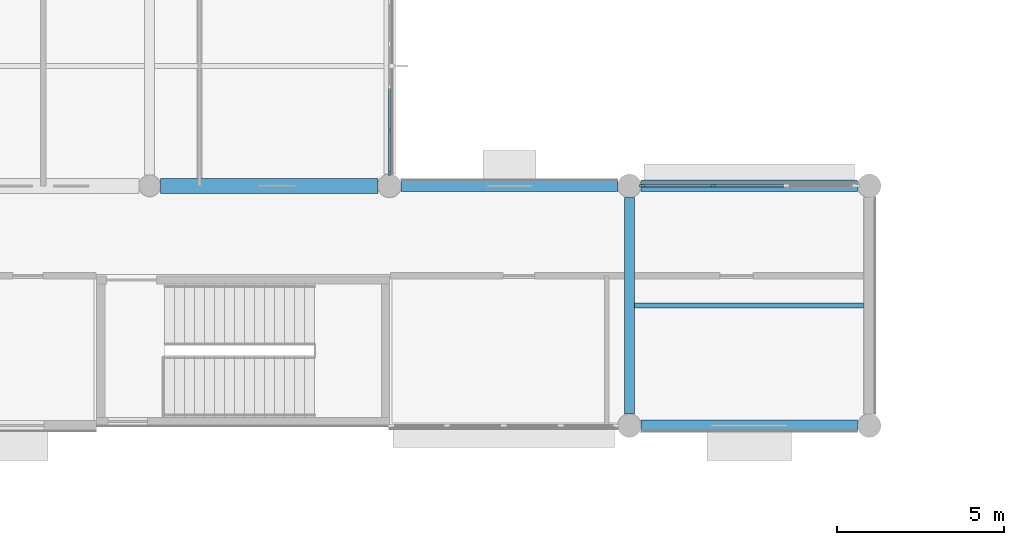
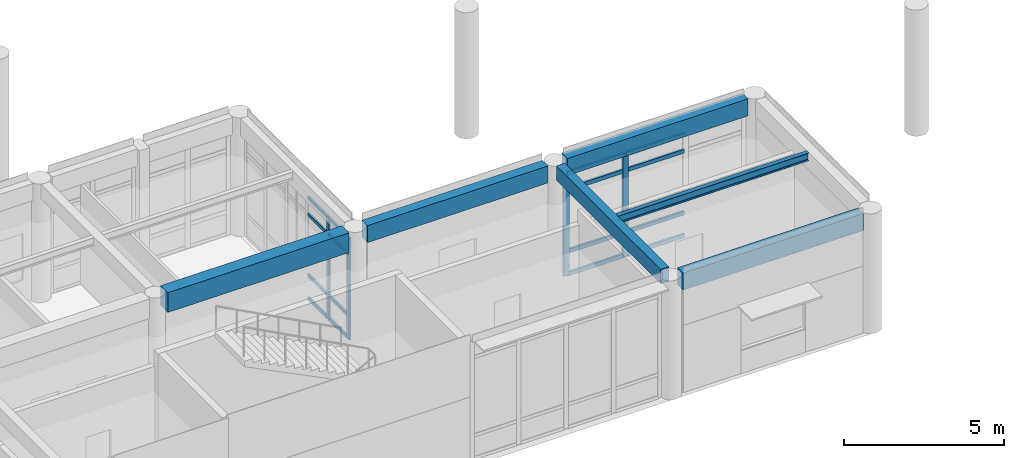
# One storey, part 25 of 92: 20 members, 6 beams, 2 elements without a shape of their own.
"""IFC4 building model written with IfcOpenShell, lengths in metres."""

from ifc_helpers import new_model, si_unit, direction, frame, origin, origin_2d, place, context, subcontext, project, spatial, rectangle, i_section, extrude, material, layer, layer_set, material_profile, profile_set, type_object, element, aggregate, save


model = new_model("IFC4")

# Units and contexts
model_context = context("Model", 3, precision=1e-05, world=origin(), true_north=direction((0.0, 1.0)))
body_context = subcontext(model_context, "Body", "Model", "MODEL_VIEW")
ifc_project = project(units=[si_unit("LENGTHUNIT", "METRE"), si_unit("AREAUNIT", "SQUARE_METRE"), si_unit("VOLUMEUNIT", "CUBIC_METRE"), si_unit("PLANEANGLEUNIT", "RADIAN"), si_unit("MASSUNIT", "GRAM", prefix="KILO")], contexts=[model_context])

# Site, building, storey
site_placement = place(None, origin())
site = spatial("IfcSite", under=ifc_project, at=site_placement, CompositionType="ELEMENT")
building_placement = place(site_placement, origin())
building = spatial("IfcBuilding", under=site, at=building_placement, Name="Namkhue Oval Health Centre", CompositionType="ELEMENT")
storey_placement = place(building_placement, frame((0.0, 0.0, 4.800048828125)))
storey = spatial("IfcBuildingStorey", under=building, at=storey_placement, Name="L01", CompositionType="ELEMENT", Elevation=4.800048828125)

# Curtain wall, members
ifc_material_1 = material(Name="Anodised aluminium EN AW-6063 T6", Category="aluminium")
ifc_layer_1 = layer(ifc_material_1, 0.159912109375)
ifc_layer_set_1 = layer_set([ifc_layer_1], Name="Anodised aluminium EN AW-6063 T6")
curtain_wall_type_1 = type_object("IfcCurtainWallType", Name="UNITISED CURTAIN WALL M1200", PredefinedType="NOTDEFINED", material=ifc_layer_set_1)
curtain_wall_1_placement = place(storey_placement, origin())
curtain_wall_1 = element("IfcCurtainWall", 1, at=curtain_wall_1_placement, inside=storey, type_object=curtain_wall_type_1, Name="Volume V3 L01 Unitised Curtain Wall 103", PredefinedType="NOTDEFINED")
ifc_material_profile_1 = material_profile(ifc_material_1, rectangle(XDim=0.06494140625, YDim=0.159912109375, at=origin_2d()), Name="ALU 65x160")
ifc_profile_set_1 = profile_set([ifc_material_profile_1], Name="Anodised aluminium EN AW-6063 T6")
member_type_1 = type_object("IfcMemberType", Name="CURTAIN WALL MULLION 65X160", PredefinedType="MULLION", material=ifc_profile_set_1)
member_1_placement = place(storey_placement, frame((122.39990234375, 97.592529296875, 0.0), z_axis=(0.0, 0.0, 1.0), x_axis=(-1.0, 0.0, 0.0)))
member_1 = element("IfcMember", 2, at=member_1_placement, type_object=member_type_1, Name="CW-01 mullion 1", PredefinedType="MULLION", context=body_context, shape_type="SweptSolid", body=[
    extrude(rectangle(XDim=0.06494140625, YDim=0.159912109375, at=origin_2d()), origin(), (0.0, 0.0, 1.0), 3.8798828125),
])
member_2_placement = place(storey_placement, frame((122.39990234375, 98.85595703125, 0.0), z_axis=(0.0, 0.0, 1.0), x_axis=(-1.0, 0.0, 0.0)))
member_2 = element("IfcMember", 3, at=member_2_placement, type_object=member_type_1, Name="CW-01 mullion 2", PredefinedType="MULLION", context=body_context, shape_type="SweptSolid", body=[
    extrude(rectangle(XDim=0.06494140625, YDim=0.159912109375, at=origin_2d()), origin(), (0.0, 0.0, 1.0), 3.8798828125),
])

ifc_layer_2 = layer(ifc_material_1, 0.159912109375)
ifc_layer_set_2 = layer_set([ifc_layer_2], Name="Anodised aluminium EN AW-6063 T6")
curtain_wall_type_2 = type_object("IfcCurtainWallType", Name="UNITISED CURTAIN WALL M2000", PredefinedType="NOTDEFINED", material=ifc_layer_set_2)
curtain_wall_2_placement = place(storey_placement, origin())
curtain_wall_2 = element("IfcCurtainWall", 4, at=curtain_wall_2_placement, inside=storey, type_object=curtain_wall_type_2, Name="Volume V3 L01 Unitised Curtain Wall 102", PredefinedType="NOTDEFINED")
ifc_material_profile_2 = material_profile(ifc_material_1, rectangle(XDim=0.074951171875, YDim=0.199951171875, at=origin_2d()), Name="ALU 75x200")
ifc_profile_set_2 = profile_set([ifc_material_profile_2], Name="Anodised aluminium EN AW-6063 T6")
member_type_2 = type_object("IfcMemberType", Name="CURTAIN WALL MULLION 75X200", PredefinedType="MULLION", material=ifc_profile_set_2)
member_3_placement = place(storey_placement, frame((132.1201171875, 97.199951171875, 0.0), z_axis=(0.0, 0.0, 1.0), x_axis=(0.0, -1.0, 0.0)))
member_3 = element("IfcMember", 5, at=member_3_placement, type_object=member_type_2, Name="CW-06 mullion 3", PredefinedType="MULLION", context=body_context, shape_type="SweptSolid", body=[
    extrude(rectangle(XDim=0.074951171875, YDim=0.199951171875, at=origin_2d()), origin(), (0.0, 0.0, 1.0), 3.911865234375),
])
member_4_placement = place(storey_placement, frame((129.99755859375, 97.199951171875, 0.0), z_axis=(0.0, 0.0, 1.0), x_axis=(0.0, -1.0, 0.0)))
member_4 = element("IfcMember", 6, at=member_4_placement, type_object=member_type_2, Name="CW-06 mullion 4", PredefinedType="MULLION", context=body_context, shape_type="SweptSolid", body=[
    extrude(rectangle(XDim=0.074951171875, YDim=0.199951171875, at=origin_2d()), origin(), (0.0, 0.0, 1.0), 3.911865234375),
])

# Member
ifc_material_profile_3 = material_profile(ifc_material_1, rectangle(XDim=0.06494140625, YDim=0.1201171875, at=origin_2d()), Name="ALU 65x120")
ifc_profile_set_3 = profile_set([ifc_material_profile_3], Name="Anodised aluminium EN AW-6063 T6")
member_type_3 = type_object("IfcMemberType", Name="CURTAIN WALL TRANSOM 65X120", PredefinedType="USERDEFINED", material=ifc_profile_set_3)
member_5_placement = place(storey_placement, frame((122.39990234375, 97.625, 0.032470703125), z_axis=(0.0, 1.0, 0.0), x_axis=(-1.0, 0.0, 0.0)))
member_5 = element("IfcMember", 7, at=member_5_placement, type_object=member_type_3, Name="CW-01 transom 1.1", ObjectType="TRANSOM", PredefinedType="USERDEFINED", context=body_context, shape_type="SweptSolid", body=[
    extrude(rectangle(XDim=0.06494140625, YDim=0.1201171875, at=origin_2d()), origin(), (0.0, 0.0, 1.0), 1.198486328125),
])

member_6_placement = place(storey_placement, frame((122.39990234375, 97.625, 0.89990234375), z_axis=(0.0, 1.0, 0.0), x_axis=(-1.0, 0.0, 0.0)))
member_6 = element("IfcMember", 8, at=member_6_placement, type_object=member_type_3, Name="CW-01 transom 1.2", ObjectType="TRANSOM", PredefinedType="USERDEFINED", context=body_context, shape_type="SweptSolid", body=[
    extrude(rectangle(XDim=0.06494140625, YDim=0.1201171875, at=origin_2d()), origin(), (0.0, 0.0, 1.0), 1.198486328125),
])

member_7_placement = place(storey_placement, frame((122.39990234375, 97.625, 3.22998046875), z_axis=(0.0, 1.0, 0.0), x_axis=(-1.0, 0.0, 0.0)))
member_7 = element("IfcMember", 9, at=member_7_placement, type_object=member_type_3, Name="CW-01 transom 1.3", ObjectType="TRANSOM", PredefinedType="USERDEFINED", context=body_context, shape_type="SweptSolid", body=[
    extrude(rectangle(XDim=0.06494140625, YDim=0.1201171875, at=origin_2d()), origin(), (0.0, 0.0, 1.0), 1.198486328125),
])

member_8_placement = place(storey_placement, frame((122.39990234375, 97.625, 3.847412109375), z_axis=(0.0, 1.0, 0.0), x_axis=(-1.0, 0.0, 0.0)))
member_8 = element("IfcMember", 10, at=member_8_placement, type_object=member_type_3, Name="CW-01 transom 1.4", ObjectType="TRANSOM", PredefinedType="USERDEFINED", context=body_context, shape_type="SweptSolid", body=[
    extrude(rectangle(XDim=0.06494140625, YDim=0.1201171875, at=origin_2d()), origin(), (0.0, 0.0, 1.0), 1.198486328125),
])

member_9_placement = place(storey_placement, frame((122.39990234375, 98.888427734375, 0.032470703125), z_axis=(0.0, 1.0, 0.0), x_axis=(-1.0, 0.0, 0.0)))
member_9 = element("IfcMember", 11, at=member_9_placement, type_object=member_type_3, Name="CW-01 transom 2.1", ObjectType="TRANSOM", PredefinedType="USERDEFINED", context=body_context, shape_type="SweptSolid", body=[
    extrude(rectangle(XDim=0.06494140625, YDim=0.1201171875, at=origin_2d()), origin(), (0.0, 0.0, 1.0), 1.23095703125),
])

member_10_placement = place(storey_placement, frame((122.39990234375, 98.888427734375, 0.89990234375), z_axis=(0.0, 1.0, 0.0), x_axis=(-1.0, 0.0, 0.0)))
member_10 = element("IfcMember", 12, at=member_10_placement, type_object=member_type_3, Name="CW-01 transom 2.2", ObjectType="TRANSOM", PredefinedType="USERDEFINED", context=body_context, shape_type="SweptSolid", body=[
    extrude(rectangle(XDim=0.06494140625, YDim=0.1201171875, at=origin_2d()), origin(), (0.0, 0.0, 1.0), 1.23095703125),
])

member_11_placement = place(storey_placement, frame((122.39990234375, 98.888427734375, 3.22998046875), z_axis=(0.0, 1.0, 0.0), x_axis=(-1.0, 0.0, 0.0)))
member_11 = element("IfcMember", 13, at=member_11_placement, type_object=member_type_3, Name="CW-01 transom 2.3", ObjectType="TRANSOM", PredefinedType="USERDEFINED", context=body_context, shape_type="SweptSolid", body=[
    extrude(rectangle(XDim=0.06494140625, YDim=0.1201171875, at=origin_2d()), origin(), (0.0, 0.0, 1.0), 1.23095703125),
])

member_12_placement = place(storey_placement, frame((122.39990234375, 98.888427734375, 3.847412109375), z_axis=(0.0, 1.0, 0.0), x_axis=(-1.0, 0.0, 0.0)))
member_12 = element("IfcMember", 14, at=member_12_placement, type_object=member_type_3, Name="CW-01 transom 2.4", ObjectType="TRANSOM", PredefinedType="USERDEFINED", context=body_context, shape_type="SweptSolid", body=[
    extrude(rectangle(XDim=0.06494140625, YDim=0.1201171875, at=origin_2d()), origin(), (0.0, 0.0, 1.0), 1.23095703125),
])

aggregate(curtain_wall_1, [member_1, member_2, member_5, member_6, member_7, member_8, member_9, member_10, member_11, member_12])

ifc_material_profile_4 = material_profile(ifc_material_1, rectangle(XDim=0.074951171875, YDim=0.14990234375, at=origin_2d()), Name="ALU 75x150")
ifc_profile_set_4 = profile_set([ifc_material_profile_4], Name="Anodised aluminium EN AW-6063 T6")
member_type_4 = type_object("IfcMemberType", Name="CURTAIN WALL TRANSOM 75X150", PredefinedType="USERDEFINED", material=ifc_profile_set_4)
member_13_placement = place(storey_placement, frame((134.242431640625, 97.199951171875, 0.037353515625), z_axis=(-1.0, 0.0, 0.0), x_axis=(0.0, -1.0, 0.0)))
member_13 = element("IfcMember", 15, at=member_13_placement, type_object=member_type_4, Name="CW-06 transom 2.1", ObjectType="TRANSOM", PredefinedType="USERDEFINED", context=body_context, shape_type="SweptSolid", body=[
    extrude(rectangle(XDim=0.074951171875, YDim=0.14990234375, at=origin_2d()), origin(), (0.0, 0.0, 1.0), 2.0849609375),
])

member_14_placement = place(storey_placement, frame((134.242431640625, 97.199951171875, 0.89990234375), z_axis=(-1.0, 0.0, 0.0), x_axis=(0.0, -1.0, 0.0)))
member_14 = element("IfcMember", 16, at=member_14_placement, type_object=member_type_4, Name="CW-06 transom 2.2", ObjectType="TRANSOM", PredefinedType="USERDEFINED", context=body_context, shape_type="SweptSolid", body=[
    extrude(rectangle(XDim=0.074951171875, YDim=0.14990234375, at=origin_2d()), origin(), (0.0, 0.0, 1.0), 2.0849609375),
])

member_15_placement = place(storey_placement, frame((134.242431640625, 97.199951171875, 3.261962890625), z_axis=(-1.0, 0.0, 0.0), x_axis=(0.0, -1.0, 0.0)))
member_15 = element("IfcMember", 17, at=member_15_placement, type_object=member_type_4, Name="CW-06 transom 2.3", ObjectType="TRANSOM", PredefinedType="USERDEFINED", context=body_context, shape_type="SweptSolid", body=[
    extrude(rectangle(XDim=0.074951171875, YDim=0.14990234375, at=origin_2d()), origin(), (0.0, 0.0, 1.0), 2.0849609375),
])

member_16_placement = place(storey_placement, frame((134.242431640625, 97.199951171875, 3.87451171875), z_axis=(-1.0, 0.0, 0.0), x_axis=(0.0, -1.0, 0.0)))
member_16 = element("IfcMember", 18, at=member_16_placement, type_object=member_type_4, Name="CW-06 transom 2.4", ObjectType="TRANSOM", PredefinedType="USERDEFINED", context=body_context, shape_type="SweptSolid", body=[
    extrude(rectangle(XDim=0.074951171875, YDim=0.14990234375, at=origin_2d()), origin(), (0.0, 0.0, 1.0), 2.0849609375),
])

member_17_placement = place(storey_placement, frame((132.08251953125, 97.199951171875, 0.037353515625), z_axis=(-1.0, 0.0, 0.0), x_axis=(0.0, -1.0, 0.0)))
member_17 = element("IfcMember", 19, at=member_17_placement, type_object=member_type_4, Name="CW-06 transom 3.1", ObjectType="TRANSOM", PredefinedType="USERDEFINED", context=body_context, shape_type="SweptSolid", body=[
    extrude(rectangle(XDim=0.074951171875, YDim=0.14990234375, at=origin_2d()), origin(), (0.0, 0.0, 1.0), 2.047607421875),
])

member_18_placement = place(storey_placement, frame((132.08251953125, 97.199951171875, 0.89990234375), z_axis=(-1.0, 0.0, 0.0), x_axis=(0.0, -1.0, 0.0)))
member_18 = element("IfcMember", 20, at=member_18_placement, type_object=member_type_4, Name="CW-06 transom 3.2", ObjectType="TRANSOM", PredefinedType="USERDEFINED", context=body_context, shape_type="SweptSolid", body=[
    extrude(rectangle(XDim=0.074951171875, YDim=0.14990234375, at=origin_2d()), origin(), (0.0, 0.0, 1.0), 2.047607421875),
])

member_19_placement = place(storey_placement, frame((132.08251953125, 97.199951171875, 3.261962890625), z_axis=(-1.0, 0.0, 0.0), x_axis=(0.0, -1.0, 0.0)))
member_19 = element("IfcMember", 21, at=member_19_placement, type_object=member_type_4, Name="CW-06 transom 3.3", ObjectType="TRANSOM", PredefinedType="USERDEFINED", context=body_context, shape_type="SweptSolid", body=[
    extrude(rectangle(XDim=0.074951171875, YDim=0.14990234375, at=origin_2d()), origin(), (0.0, 0.0, 1.0), 2.047607421875),
])

member_20_placement = place(storey_placement, frame((132.08251953125, 97.199951171875, 3.87451171875), z_axis=(-1.0, 0.0, 0.0), x_axis=(0.0, -1.0, 0.0)))
member_20 = element("IfcMember", 22, at=member_20_placement, type_object=member_type_4, Name="CW-06 transom 3.4", ObjectType="TRANSOM", PredefinedType="USERDEFINED", context=body_context, shape_type="SweptSolid", body=[
    extrude(rectangle(XDim=0.074951171875, YDim=0.14990234375, at=origin_2d()), origin(), (0.0, 0.0, 1.0), 2.047607421875),
])

aggregate(curtain_wall_2, [member_3, member_4, member_13, member_14, member_15, member_16, member_17, member_18, member_19, member_20])

# Beams
ifc_material_2 = material(Name="Reinforced concrete C30/37 (TCVN B35)", Category="concrete")
ifc_material_profile_5 = material_profile(ifc_material_2, rectangle(XDim=0.300048828125, YDim=0.550048828125, at=origin_2d()), Name="RC 300x550")
ifc_profile_set_5 = profile_set([ifc_material_profile_5], Name="Reinforced concrete C30/37 (TCVN B35)")
beam_type_1 = type_object("IfcBeamType", Name="FLOOR BEAM RC 300X550", PredefinedType="BEAM", material=ifc_profile_set_5)
beam_1_placement = place(storey_placement, frame((129.60009765625, 90.35009765625, 4.286865234375), z_axis=(0.0, 1.0, 0.0), x_axis=(-1.0, 0.0, 0.0)))
element("IfcBeam", 23, at=beam_1_placement, inside=storey, type_object=beam_type_1, Name="Volume V3 L02 Beam 19/N-O", PredefinedType="BEAM", context=body_context, shape_type="SweptSolid", body=[
    extrude(rectangle(XDim=0.300048828125, YDim=0.550048828125, at=origin_2d()), origin(), (0.0, 0.0, 1.0), 6.5),
])
ifc_material_3 = material(Name="Reinforced concrete C35/45 (TCVN B40)", Category="concrete")
ifc_material_profile_6 = material_profile(ifc_material_3, rectangle(XDim=0.35009765625, YDim=0.64990234375, at=origin_2d()), Name="RC 350x650")
ifc_profile_set_6 = profile_set([ifc_material_profile_6], Name="Reinforced concrete C35/45 (TCVN B40)")
beam_type_2 = type_object("IfcBeamType", Name="PERIMETER SPANDREL BEAM 350X650", PredefinedType="SPANDREL", material=ifc_profile_set_6)
for number, where, z_axis, x_axis, name in (
    (24, (129.949951171875, 90.0, 4.237060546875), (1.0, 0.0, 0.0), (0.0, 1.0, 0.0), "Volume V3 L02 Girder N/19-20"),
    (25, (122.75, 97.199951171875, 4.204833984375), (1.0, 0.0, 0.0), (0.0, 1.0, 0.0), "Volume V3 L02 Girder O/18-19"),
    (26, (129.949951171875, 97.199951171875, 4.237060546875), (1.0, 0.0, 0.0), (0.0, 1.0, 0.0), "Volume V3 L02 Girder O/19-20"),
):
    element("IfcBeam", number, at=place(storey_placement, frame(where, z_axis=z_axis, x_axis=x_axis)), inside=storey, type_object=beam_type_2, Name=name, PredefinedType="SPANDREL", context=body_context, shape_type="SweptSolid", body=[
        extrude(rectangle(XDim=0.35009765625, YDim=0.64990234375, at=origin_2d()), origin(), (0.0, 0.0, 1.0), 6.5),
    ])
ifc_material_profile_7 = material_profile(ifc_material_3, rectangle(XDim=0.449951171875, YDim=0.75, at=origin_2d()), Name="RC 450x750")
ifc_profile_set_7 = profile_set([ifc_material_profile_7], Name="Reinforced concrete C35/45 (TCVN B40)")
beam_type_3 = type_object("IfcBeamType", Name="PRIMARY GIRDER RC 450X750", PredefinedType="USERDEFINED", material=ifc_profile_set_7)
beam_2_placement = place(storey_placement, frame((115.52490234375, 97.199951171875, 4.155029296875), z_axis=(1.0, 0.0, 0.0), x_axis=(0.0, 1.0, 0.0)))
element("IfcBeam", 27, at=beam_2_placement, inside=storey, type_object=beam_type_3, Name="Volume V3 L02 Girder O/17-18", ObjectType="GIRDER", PredefinedType="USERDEFINED", context=body_context, shape_type="SweptSolid", body=[
    extrude(rectangle(XDim=0.449951171875, YDim=0.75, at=origin_2d()), origin(), (0.0, 0.0, 1.0), 6.525146484375),
])
ifc_material_4 = material(Name="Structural steel EN 10025-2 S355JR (TCVN 5575:2024)", Category="steel")
ifc_material_profile_8 = material_profile(ifc_material_4, i_section(OverallWidth=0.14990234375, OverallDepth=0.300048828125, WebThickness=0.007080078125, FlangeThickness=0.0107421875, FilletRadius=0.014892578125, at=origin_2d()), Name="IPE 300")
ifc_profile_set_8 = profile_set([ifc_material_profile_8], Name="Structural steel EN 10025-2 S355JR (TCVN 5575:2024)")
beam_type_4 = type_object("IfcBeamType", Name="SECONDARY JOIST STEEL IPE 300", PredefinedType="JOIST", material=ifc_profile_set_8)
beam_3_placement = place(storey_placement, frame((129.75, 93.60009765625, 4.411865234375), z_axis=(1.0, 0.0, 0.0), x_axis=(0.0, 1.0, 0.0)))
element("IfcBeam", 28, at=beam_3_placement, inside=storey, type_object=beam_type_4, Name="Volume V3 L02 Secondary Joist 19-20", PredefinedType="JOIST", context=body_context, shape_type="SweptSolid", body=[
    extrude(i_section(OverallWidth=0.14990234375, OverallDepth=0.300048828125, WebThickness=0.007080078125, FlangeThickness=0.0107421875, FilletRadius=0.014892578125, at=origin_2d()), origin(), (0.0, 0.0, 1.0), 6.875),
])

save(model, "model.ifc")
